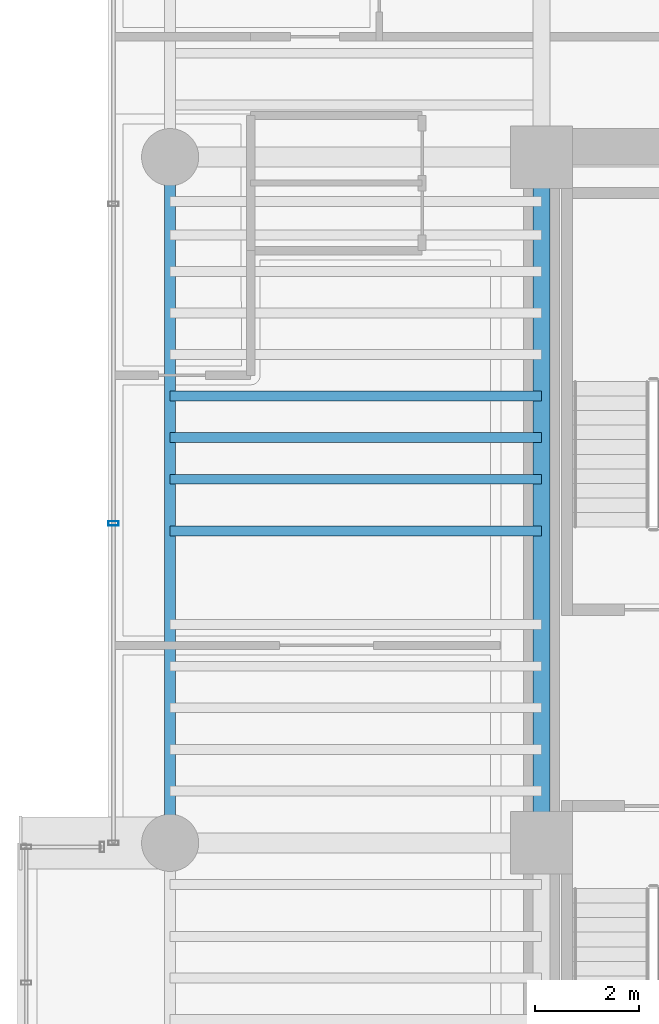
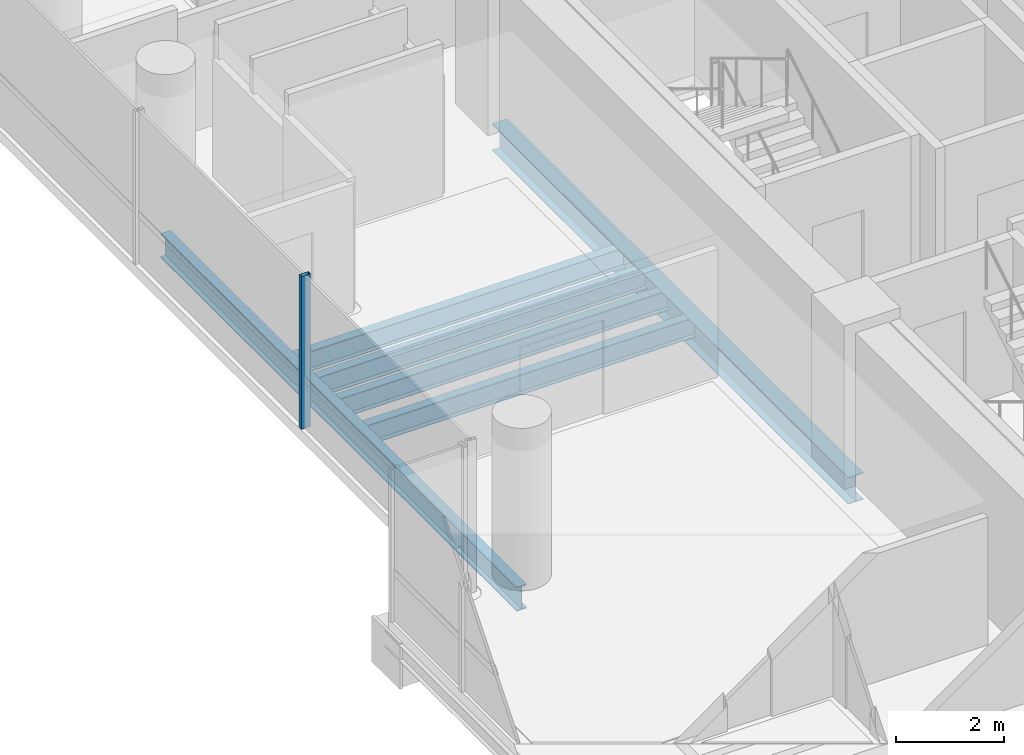
# One storey, part 7 of 37: 6 beams, 1 member, 1 element without a shape of its own.
"""IFC4 building model written with IfcOpenShell, lengths in metres."""

from ifc_helpers import new_model, si_unit, direction, frame, origin, origin_2d, place, context, subcontext, project, spatial, hollow_rectangle, i_section, extrude, source, transform, mapped, material, material_profile, profile_set, type_object, element, aggregate, save


model = new_model("IFC4")

# Units and contexts
model_context = context("Model", 3, precision=1e-05, world=origin(), true_north=direction((0.0, 1.0)))
body_context = subcontext(model_context, "Body", "Model", "MODEL_VIEW")
ifc_project = project(units=[si_unit("LENGTHUNIT", "METRE"), si_unit("AREAUNIT", "SQUARE_METRE"), si_unit("VOLUMEUNIT", "CUBIC_METRE"), si_unit("PLANEANGLEUNIT", "RADIAN"), si_unit("MASSUNIT", "GRAM", prefix="KILO")], contexts=[model_context])

# Site, building, storey
site_placement = place(None, origin())
site = spatial("IfcSite", under=ifc_project, at=site_placement, CompositionType="ELEMENT")
building_placement = place(site_placement, origin())
building = spatial("IfcBuilding", under=site, at=building_placement, Name="Valdorenza Pilgrim Sanctuary Tower", CompositionType="ELEMENT")
storey_placement = place(building_placement, frame((0.0, 0.0, 127.89990234375)))
storey = spatial("IfcBuildingStorey", under=building, at=storey_placement, Name="L32", CompositionType="ELEMENT", Elevation=127.89990234375)

# Beams
ifc_material_1 = material(Name="Steel ASTM A992 Grade 50", Category="steel")
ifc_material_profile_1 = material_profile(ifc_material_1, i_section(OverallWidth=0.214111328125, OverallDepth=0.549072265625, WebThickness=0.0146484375, FlangeThickness=0.023681640625, at=origin_2d()), Name="W21X93")
ifc_profile_set_1 = profile_set([ifc_material_profile_1], Name="Steel ASTM A992 Grade 50")
beam_type_1 = type_object("IfcBeamType", Name="STR-BM-SPN-W21A", PredefinedType="SPANDREL", material=ifc_profile_set_1)
shared_shape_1 = source(origin(), body_context, "Body", "SweptSolid", [
    extrude(i_section(OverallWidth=0.214111328125, OverallDepth=0.549072265625, WebThickness=0.0146484375, FlangeThickness=0.023681640625, at=origin_2d()), origin(), (0.0, 0.0, 1.0), 13.2001953125),
])
beam_1_placement = place(storey_placement, frame((-29.800048828125, -2.60009765625, -0.514404296875), z_axis=(0.0, 1.0, 0.0), x_axis=(-1.0, 0.0, 0.0)))
element("IfcBeam", 1, at=beam_1_placement, inside=storey, type_object=beam_type_1, Name="L32 Spandrel Beam WA-W-M0N1", PredefinedType="SPANDREL", context=body_context, shape_type="MappedRepresentation", body=[
    mapped(shared_shape_1, transform((0.0, 0.0, 0.0), x_axis=(1.0, 0.0, 0.0), y_axis=(0.0, 1.0, 0.0), z_axis=(0.0, 0.0, 1.0), scale=1.0)),
])
ifc_material_profile_2 = material_profile(ifc_material_1, i_section(OverallWidth=0.323974609375, OverallDepth=0.611083984375, WebThickness=0.0126953125, FlangeThickness=0.01904296875, at=origin_2d()), Name="W24X104")
ifc_profile_set_2 = profile_set([ifc_material_profile_2], Name="Steel ASTM A992 Grade 50")
beam_type_2 = type_object("IfcBeamType", Name="STR-BM-GRD-W24B", PredefinedType="BEAM", material=ifc_profile_set_2)
shared_shape_2 = source(origin(), body_context, "Body", "SweptSolid", [
    extrude(i_section(OverallWidth=0.323974609375, OverallDepth=0.611083984375, WebThickness=0.0126953125, FlangeThickness=0.01904296875, at=origin_2d()), origin(), (0.0, 0.0, 1.0), 13.2001953125),
])
beam_2_placement = place(storey_placement, frame((-22.64990234375, -2.60009765625, -0.54541015625), z_axis=(0.0, 1.0, 0.0), x_axis=(-1.0, 0.0, 0.0)))
element("IfcBeam", 2, at=beam_2_placement, inside=storey, type_object=beam_type_2, Name="L32 Core Tie Girder CA-W-M0N1", PredefinedType="BEAM", context=body_context, shape_type="MappedRepresentation", body=[
    mapped(shared_shape_2, transform((0.0, 0.0, 0.0), x_axis=(1.0, 0.0, 0.0), y_axis=(0.0, 1.0, 0.0), z_axis=(0.0, 0.0, 1.0), scale=1.0)),
])
ifc_material_profile_3 = material_profile(ifc_material_1, i_section(OverallWidth=0.19091796875, OverallDepth=0.45703125, WebThickness=0.009033203125, FlangeThickness=0.014404296875, at=origin_2d()), Name="W18X50")
ifc_profile_set_3 = profile_set([ifc_material_profile_3], Name="Steel ASTM A992 Grade 50")
beam_type_3 = type_object("IfcBeamType", Name="STR-BM-JST-W18B", PredefinedType="JOIST", material=ifc_profile_set_3)
shared_shape_3 = source(origin(), body_context, "Body", "SweptSolid", [
    extrude(i_section(OverallWidth=0.19091796875, OverallDepth=0.45703125, WebThickness=0.009033203125, FlangeThickness=0.014404296875, at=origin_2d()), origin(), (0.0, 0.0, 1.0), 7.150146484375),
])
for number, where, z_axis, x_axis, name in (
    (3, (-29.800048828125, 3.39990234375, -0.468505859375), (1.0, 0.0, 0.0), (0.0, 1.0, 0.0), "L32 Composite Floor Joist JST-WA-15"),
    (4, (-29.800048828125, 4.39990234375, -0.468505859375), (1.0, 0.0, 0.0), (0.0, 1.0, 0.0), "L32 Composite Floor Joist JST-WA-16"),
    (5, (-29.800048828125, 5.199951171875, -0.468505859375), (1.0, 0.0, 0.0), (0.0, 1.0, 0.0), "L32 Composite Floor Joist JST-WA-17"),
    (6, (-29.800048828125, 6.0, -0.468505859375), (1.0, 0.0, 0.0), (0.0, 1.0, 0.0), "L32 Composite Floor Joist JST-WA-18"),
):
    element("IfcBeam", number, at=place(storey_placement, frame(where, z_axis=z_axis, x_axis=x_axis)), inside=storey, type_object=beam_type_3, Name=name, PredefinedType="JOIST", context=body_context, shape_type="MappedRepresentation", body=[
        mapped(shared_shape_3, transform((0.0, 0.0, 0.0), x_axis=(1.0, 0.0, 0.0), y_axis=(0.0, 1.0, 0.0), z_axis=(0.0, 0.0, 1.0), scale=1.0)),
    ])

# Curtain wall, member
ifc_material_2 = material(Name="Curtain-wall IGU glazing", Category="glass")
curtain_wall_type = type_object("IfcCurtainWallType", Name="CW-SYS-02", PredefinedType="NOTDEFINED", material=ifc_material_2)
curtain_wall_placement = place(storey_placement, origin())
curtain_wall = element("IfcCurtainWall", 7, at=curtain_wall_placement, inside=storey, type_object=curtain_wall_type, Name="L32 Curtain Wall CW-L32-1-1S2", PredefinedType="NOTDEFINED")
ifc_material_3 = material(Name="Anodised aluminium AW-6060", Category="aluminium")
ifc_material_profile_4 = material_profile(ifc_material_3, hollow_rectangle(XDim=0.0849609375, YDim=0.199951171875, WallThickness=0.0048828125, at=origin_2d()), Name="ALU-M 200x85x5")
ifc_profile_set_4 = profile_set([ifc_material_profile_4], Name="Anodised aluminium AW-6060")
member_type = type_object("IfcMemberType", Name="CW-MUL-02", PredefinedType="MULLION", material=ifc_profile_set_4)
shared_shape_4 = source(origin(), body_context, "Body", "SweptSolid", [
    extrude(hollow_rectangle(XDim=0.0849609375, YDim=0.199951171875, WallThickness=0.0048828125, at=origin_2d()), origin(), (0.0, 0.0, 1.0), 3.460205078125),
])
member_placement = place(storey_placement, frame((-30.889892578125, 3.550048828125, 0.0), z_axis=(0.0, 0.0, 1.0), x_axis=(0.0, 1.0, 0.0)))
member = element("IfcMember", 8, at=member_placement, type_object=member_type, Name="CW-L32-1-1S2 Mullion 2", PredefinedType="MULLION", context=body_context, shape_type="MappedRepresentation", body=[
    mapped(shared_shape_4, transform((0.0, 0.0, 0.0), x_axis=(1.0, 0.0, 0.0), y_axis=(0.0, 1.0, 0.0), z_axis=(0.0, 0.0, 1.0), scale=1.0)),
])
aggregate(curtain_wall, [member])

save(model, "model.ifc")
